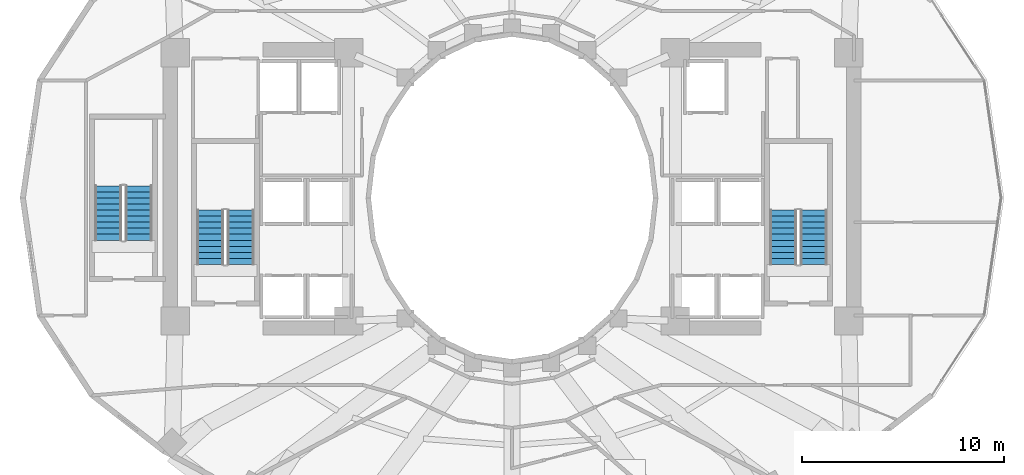
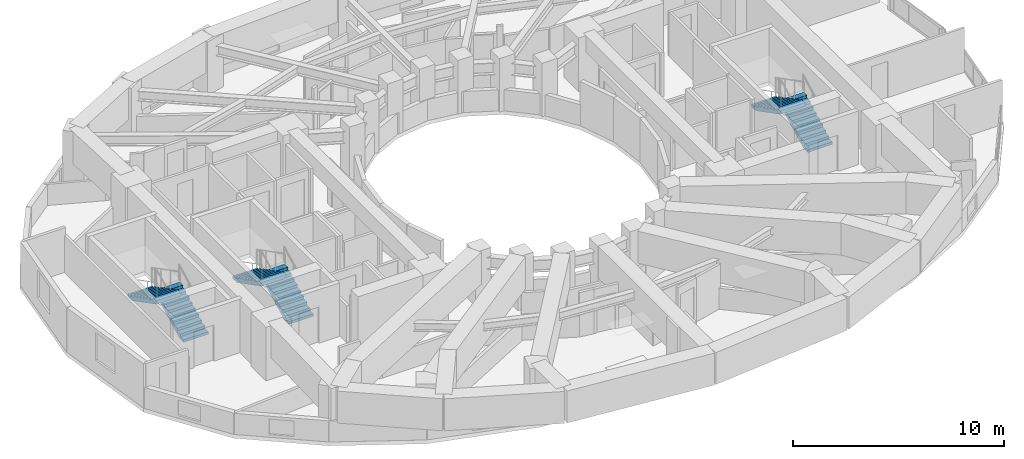
# One storey, part 11 of 14: 6 stair flights, 3 elements without a shape of their own.
"""IFC4 building model written with IfcOpenShell, lengths in metres."""

from ifc_helpers import new_model, si_unit, direction, frame, origin, place, context, subcontext, project, spatial, polyline, outline, extrude, material, type_object, element, aggregate, save


model = new_model("IFC4")

# Units and contexts
model_context = context("Model", 3, precision=1e-05, world=origin(), true_north=direction((0.0, 1.0)))
body_context = subcontext(model_context, "Body", "Model", "MODEL_VIEW")
ifc_project = project(units=[si_unit("LENGTHUNIT", "METRE"), si_unit("AREAUNIT", "SQUARE_METRE"), si_unit("VOLUMEUNIT", "CUBIC_METRE"), si_unit("PLANEANGLEUNIT", "RADIAN"), si_unit("MASSUNIT", "GRAM", prefix="KILO")], contexts=[model_context])

# Site, building, storey
site_placement = place(None, origin())
site = spatial("IfcSite", under=ifc_project, at=site_placement, CompositionType="ELEMENT")
building_placement = place(site_placement, origin())
building = spatial("IfcBuilding", under=site, at=building_placement, Name="Solvane Sanctuary Tower", CompositionType="ELEMENT")
storey_placement = place(building_placement, frame((0.0, 0.0, 91.800048828125)))
storey = spatial("IfcBuildingStorey", under=building, at=storey_placement, Name="L27", CompositionType="ELEMENT", Elevation=91.800048828125)

# Stair, stair flights
ifc_material = material(Name="Concrete C45/55", Category="concrete")
stair_type = type_object("IfcStairType", Name="Stair ST-TOW", PredefinedType="HALF_TURN_STAIR", material=ifc_material)
stair_1_placement = place(storey_placement, origin())
stair_1 = element("IfcStair", 1, at=stair_1_placement, inside=storey, type_object=stair_type, Name="L27 Exit Stair ST-1 West Core", PredefinedType="HALF_TURN_STAIR")
stair_flight_type = type_object("IfcStairFlightType", Name="StairFlight SF-TOW", PredefinedType="STRAIGHT", material=ifc_material)
stair_flight_1_placement = place(storey_placement, frame((18.544921875, 19.699951171875, 0.0), z_axis=(0.0, 0.0, 1.0), x_axis=(0.0, 1.0, 0.0)))
stair_flight_1 = element("IfcStairFlight", 2, at=stair_flight_1_placement, type_object=stair_flight_type, Name="ST-1 flight 1", NumberOfRisers=10, NumberOfTreads=9, PredefinedType="STRAIGHT", RiserHeight=0.155, TreadLength=0.3, context=body_context, shape_type="SweptSolid", body=[
    extrude(outline(polyline([(0.0, 0.0), (0.0, 0.155029296875), (0.300048828125, 0.155029296875), (0.300048828125, 0.31005859375), (0.60009765625, 0.31005859375), (0.60009765625, 0.465087890625), (0.89990234375, 0.465087890625), (0.89990234375, 0.6201171875), (1.199951171875, 0.6201171875), (1.199951171875, 0.77490234375), (1.5, 0.77490234375), (1.5, 0.929931640625), (1.800048828125, 0.929931640625), (1.800048828125, 1.0849609375), (2.10009765625, 1.0849609375), (2.10009765625, 1.239990234375), (2.39990234375, 1.239990234375), (2.39990234375, 1.39501953125), (2.699951171875, 1.39501953125), (2.699951171875, 1.550048828125), (2.699951171875, 1.1923828125), (0.39208984375, 0.0), (0.0, 0.0)])), frame((0.0, 0.675048828125, 0.0), z_axis=(0.0, -1.0, 0.0), x_axis=(1.0, 0.0, 0.0)), (0.0, 0.0, 1.0), 1.35009765625),
])
stair_flight_2_placement = place(storey_placement, frame((17.034912109375, 22.39990234375, 1.550048828125), z_axis=(0.0, 0.0, 1.0), x_axis=(0.0, -1.0, 0.0)))
stair_flight_2 = element("IfcStairFlight", 3, at=stair_flight_2_placement, type_object=stair_flight_type, Name="ST-1 flight 2", NumberOfRisers=10, NumberOfTreads=9, PredefinedType="STRAIGHT", RiserHeight=0.155, TreadLength=0.3, context=body_context, shape_type="SweptSolid", body=[
    extrude(outline(polyline([(0.0, 0.0), (0.0, 0.155029296875), (0.300048828125, 0.155029296875), (0.300048828125, 0.31005859375), (0.60009765625, 0.31005859375), (0.60009765625, 0.465087890625), (0.89990234375, 0.465087890625), (0.89990234375, 0.6201171875), (1.199951171875, 0.6201171875), (1.199951171875, 0.77490234375), (1.5, 0.77490234375), (1.5, 0.929931640625), (1.800048828125, 0.929931640625), (1.800048828125, 1.0849609375), (2.10009765625, 1.0849609375), (2.10009765625, 1.239990234375), (2.39990234375, 1.239990234375), (2.39990234375, 1.39501953125), (2.699951171875, 1.39501953125), (2.699951171875, 1.550048828125), (2.699951171875, 1.1923828125), (0.39208984375, 0.0), (0.0, 0.0)])), frame((0.0, 0.675048828125, 0.0), z_axis=(0.0, -1.0, 0.0), x_axis=(1.0, 0.0, 0.0)), (0.0, 0.0, 1.0), 1.35009765625),
])
aggregate(stair_1, [stair_flight_1, stair_flight_2])

stair_2_placement = place(storey_placement, origin())
stair_2 = element("IfcStair", 4, at=stair_2_placement, inside=storey, type_object=stair_type, Name="L27 Exit Stair ST-2 East Core", PredefinedType="HALF_TURN_STAIR")
stair_flight_3_placement = place(storey_placement, frame((46.965087890625, 19.699951171875, 0.0), z_axis=(0.0, 0.0, 1.0), x_axis=(0.0, 1.0, 0.0)))
stair_flight_3 = element("IfcStairFlight", 5, at=stair_flight_3_placement, type_object=stair_flight_type, Name="ST-2 flight 1", NumberOfRisers=10, NumberOfTreads=9, PredefinedType="STRAIGHT", RiserHeight=0.155, TreadLength=0.3, context=body_context, shape_type="SweptSolid", body=[
    extrude(outline(polyline([(0.0, 0.0), (0.0, 0.155029296875), (0.300048828125, 0.155029296875), (0.300048828125, 0.31005859375), (0.60009765625, 0.31005859375), (0.60009765625, 0.465087890625), (0.89990234375, 0.465087890625), (0.89990234375, 0.6201171875), (1.199951171875, 0.6201171875), (1.199951171875, 0.77490234375), (1.5, 0.77490234375), (1.5, 0.929931640625), (1.800048828125, 0.929931640625), (1.800048828125, 1.0849609375), (2.10009765625, 1.0849609375), (2.10009765625, 1.239990234375), (2.39990234375, 1.239990234375), (2.39990234375, 1.39501953125), (2.699951171875, 1.39501953125), (2.699951171875, 1.550048828125), (2.699951171875, 1.1923828125), (0.39208984375, 0.0), (0.0, 0.0)])), frame((0.0, 0.675048828125, 0.0), z_axis=(0.0, -1.0, 0.0), x_axis=(1.0, 0.0, 0.0)), (0.0, 0.0, 1.0), 1.35009765625),
])
stair_flight_4_placement = place(storey_placement, frame((45.455078125, 22.39990234375, 1.550048828125), z_axis=(0.0, 0.0, 1.0), x_axis=(0.0, -1.0, 0.0)))
stair_flight_4 = element("IfcStairFlight", 6, at=stair_flight_4_placement, type_object=stair_flight_type, Name="ST-2 flight 2", NumberOfRisers=10, NumberOfTreads=9, PredefinedType="STRAIGHT", RiserHeight=0.155, TreadLength=0.3, context=body_context, shape_type="SweptSolid", body=[
    extrude(outline(polyline([(0.0, 0.0), (0.0, 0.155029296875), (0.300048828125, 0.155029296875), (0.300048828125, 0.31005859375), (0.60009765625, 0.31005859375), (0.60009765625, 0.465087890625), (0.89990234375, 0.465087890625), (0.89990234375, 0.6201171875), (1.199951171875, 0.6201171875), (1.199951171875, 0.77490234375), (1.5, 0.77490234375), (1.5, 0.929931640625), (1.800048828125, 0.929931640625), (1.800048828125, 1.0849609375), (2.10009765625, 1.0849609375), (2.10009765625, 1.239990234375), (2.39990234375, 1.239990234375), (2.39990234375, 1.39501953125), (2.699951171875, 1.39501953125), (2.699951171875, 1.550048828125), (2.699951171875, 1.1923828125), (0.39208984375, 0.0), (0.0, 0.0)])), frame((0.0, 0.675048828125, 0.0), z_axis=(0.0, -1.0, 0.0), x_axis=(1.0, 0.0, 0.0)), (0.0, 0.0, 1.0), 1.35009765625),
])
aggregate(stair_2, [stair_flight_3, stair_flight_4])

stair_3_placement = place(storey_placement, origin())
stair_3 = element("IfcStair", 7, at=stair_3_placement, inside=storey, type_object=stair_type, Name="L27 Exit Stair ST-3 Pilgrim Tower Stair", PredefinedType="HALF_TURN_STAIR")
stair_flight_5_placement = place(storey_placement, frame((13.485107421875, 20.89990234375, 0.0), z_axis=(0.0, 0.0, 1.0), x_axis=(0.0, 1.0, 0.0)))
stair_flight_5 = element("IfcStairFlight", 8, at=stair_flight_5_placement, type_object=stair_flight_type, Name="ST-3 flight 1", NumberOfRisers=10, NumberOfTreads=9, PredefinedType="STRAIGHT", RiserHeight=0.155, TreadLength=0.3, context=body_context, shape_type="SweptSolid", body=[
    extrude(outline(polyline([(0.0, 0.0), (0.0, 0.155029296875), (0.300048828125, 0.155029296875), (0.300048828125, 0.31005859375), (0.60009765625, 0.31005859375), (0.60009765625, 0.465087890625), (0.89990234375, 0.465087890625), (0.89990234375, 0.6201171875), (1.199951171875, 0.6201171875), (1.199951171875, 0.77490234375), (1.5, 0.77490234375), (1.5, 0.929931640625), (1.800048828125, 0.929931640625), (1.800048828125, 1.0849609375), (2.10009765625, 1.0849609375), (2.10009765625, 1.239990234375), (2.39990234375, 1.239990234375), (2.39990234375, 1.39501953125), (2.699951171875, 1.39501953125), (2.699951171875, 1.550048828125), (2.699951171875, 1.1923828125), (0.39208984375, 0.0), (0.0, 0.0)])), frame((0.0, 0.675048828125, 0.0), z_axis=(0.0, -1.0, 0.0), x_axis=(1.0, 0.0, 0.0)), (0.0, 0.0, 1.0), 1.35009765625),
])
stair_flight_6_placement = place(storey_placement, frame((11.97509765625, 23.60009765625, 1.550048828125), z_axis=(0.0, 0.0, 1.0), x_axis=(0.0, -1.0, 0.0)))
stair_flight_6 = element("IfcStairFlight", 9, at=stair_flight_6_placement, type_object=stair_flight_type, Name="ST-3 flight 2", NumberOfRisers=10, NumberOfTreads=9, PredefinedType="STRAIGHT", RiserHeight=0.155, TreadLength=0.3, context=body_context, shape_type="SweptSolid", body=[
    extrude(outline(polyline([(0.0, 0.0), (0.0, 0.155029296875), (0.300048828125, 0.155029296875), (0.300048828125, 0.31005859375), (0.60009765625, 0.31005859375), (0.60009765625, 0.465087890625), (0.89990234375, 0.465087890625), (0.89990234375, 0.6201171875), (1.199951171875, 0.6201171875), (1.199951171875, 0.77490234375), (1.5, 0.77490234375), (1.5, 0.929931640625), (1.800048828125, 0.929931640625), (1.800048828125, 1.0849609375), (2.10009765625, 1.0849609375), (2.10009765625, 1.239990234375), (2.39990234375, 1.239990234375), (2.39990234375, 1.39501953125), (2.699951171875, 1.39501953125), (2.699951171875, 1.550048828125), (2.699951171875, 1.1923828125), (0.39208984375, 0.0), (0.0, 0.0)])), frame((0.0, 0.675048828125, 0.0), z_axis=(0.0, -1.0, 0.0), x_axis=(1.0, 0.0, 0.0)), (0.0, 0.0, 1.0), 1.35009765625),
])
aggregate(stair_3, [stair_flight_5, stair_flight_6])

save(model, "model.ifc")
